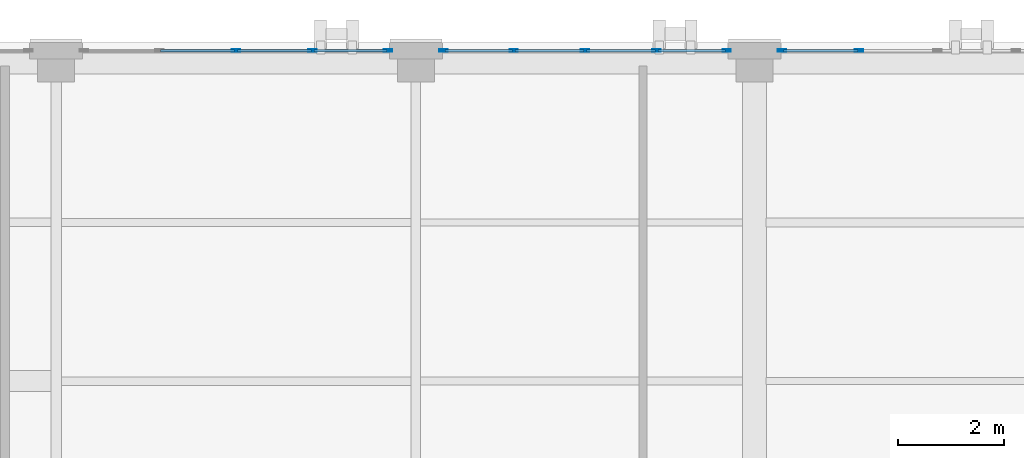
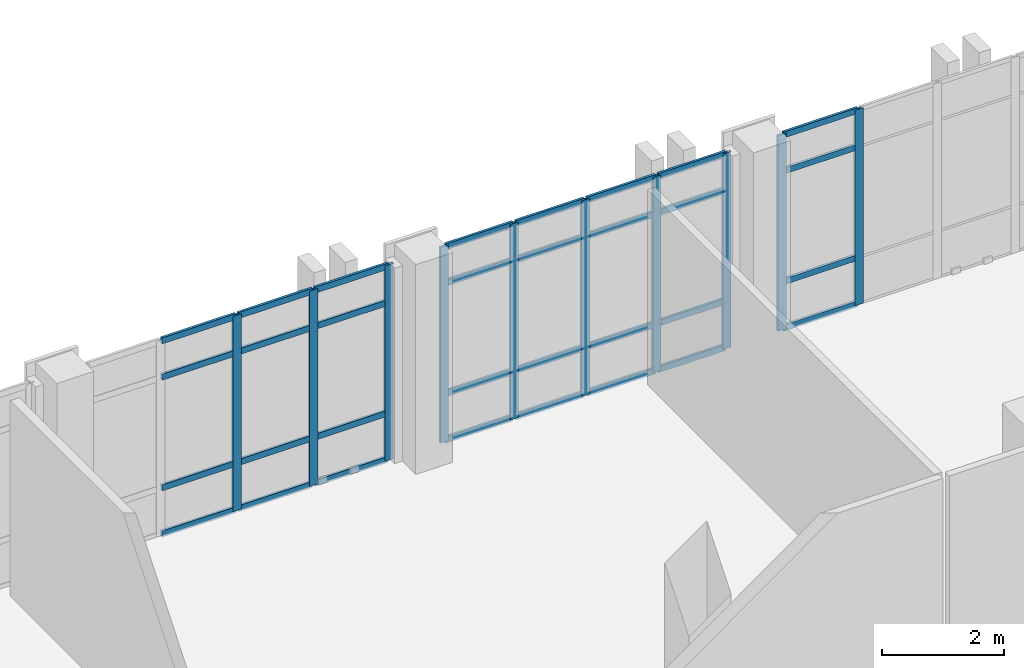
# One storey, part 98 of 193: 42 members, 3 elements without a shape of their own.
"""IFC4 building model written with IfcOpenShell, lengths in metres."""

from ifc_helpers import new_model, si_unit, direction, frame, origin, origin_2d, place, context, subcontext, project, spatial, hollow_rectangle, extrude, material, layer, layer_set, material_profile, profile_set, type_object, element, aggregate, save


model = new_model("IFC4")

# Units and contexts
model_context = context("Model", 3, precision=1e-05, world=origin(), true_north=direction((0.0, 1.0)))
body_context = subcontext(model_context, "Body", "Model", "MODEL_VIEW")
ifc_project = project(units=[si_unit("LENGTHUNIT", "METRE"), si_unit("AREAUNIT", "SQUARE_METRE"), si_unit("VOLUMEUNIT", "CUBIC_METRE"), si_unit("PLANEANGLEUNIT", "RADIAN"), si_unit("MASSUNIT", "GRAM", prefix="KILO")], contexts=[model_context])

# Site, building, storey
site_placement = place(None, origin())
site = spatial("IfcSite", under=ifc_project, at=site_placement, CompositionType="ELEMENT")
building_placement = place(site_placement, origin())
building = spatial("IfcBuilding", under=site, at=building_placement, Name="Qalavern Law Courts", CompositionType="ELEMENT")
storey_placement = place(building_placement, frame((0.0, 0.0, 10.199951171875)))
storey = spatial("IfcBuildingStorey", under=building, at=storey_placement, Name="L02", CompositionType="ELEMENT", Elevation=10.199951171875)

# Curtain wall, members
ifc_material_1 = material(Name="Anodised aluminium and insulated glazing", Category="aluminium")
ifc_layer = layer(ifc_material_1, 0.166015625)
ifc_layer_set = layer_set([ifc_layer], Name="Anodised aluminium and insulated glazing")
curtain_wall_type = type_object("IfcCurtainWallType", Name="ENV-CW-LIB", PredefinedType="USERDEFINED", material=ifc_layer_set)
curtain_wall_1_placement = place(storey_placement, origin())
curtain_wall_1 = element("IfcCurtainWall", 1, at=curtain_wall_1_placement, inside=storey, type_object=curtain_wall_type, Name="V5 unitised curtain wall L02 north 1", ObjectType="UNITISED CURTAIN WALL", PredefinedType="USERDEFINED")
ifc_material_2 = material(Name="Anodised aluminium", Category="aluminium")
ifc_material_profile_1 = material_profile(ifc_material_2, hollow_rectangle(XDim=0.048095703125, YDim=0.159912109375, WallThickness=0.00390625, at=origin_2d()), Name="ALU MULLION 48x160")
ifc_profile_set_1 = profile_set([ifc_material_profile_1], Name="Anodised aluminium")
member_type_1 = type_object("IfcMemberType", Name="ENV-CWM-48x160", PredefinedType="MULLION", material=ifc_profile_set_1)
member_1_placement = place(storey_placement, frame((59.97998046875, 112.844970703125, 0.0), z_axis=(0.0, 0.0, 1.0), x_axis=(0.0, -1.0, 0.0)))
member_1 = element("IfcMember", 2, at=member_1_placement, type_object=member_type_1, Name="CW-05 mullion 5", PredefinedType="MULLION", context=body_context, shape_type="SweptSolid", body=[
    extrude(hollow_rectangle(XDim=0.048095703125, YDim=0.159912109375, WallThickness=0.00390625, at=origin_2d()), origin(), (0.0, 0.0, 1.0), 3.9150390625),
])
member_2_placement = place(storey_placement, frame((58.52392578125, 112.844970703125, 0.0), z_axis=(0.0, 0.0, 1.0), x_axis=(0.0, -1.0, 0.0)))
member_2 = element("IfcMember", 3, at=member_2_placement, type_object=member_type_1, Name="CW-05 mullion 6", PredefinedType="MULLION", context=body_context, shape_type="SweptSolid", body=[
    extrude(hollow_rectangle(XDim=0.048095703125, YDim=0.159912109375, WallThickness=0.00390625, at=origin_2d()), origin(), (0.0, 0.0, 1.0), 3.9150390625),
])

curtain_wall_2_placement = place(storey_placement, origin())
curtain_wall_2 = element("IfcCurtainWall", 4, at=curtain_wall_2_placement, inside=storey, type_object=curtain_wall_type, Name="V5 unitised curtain wall L02 north 2", ObjectType="UNITISED CURTAIN WALL", PredefinedType="USERDEFINED")
member_3_placement = place(storey_placement, frame((57.47607421875, 112.844970703125, 0.0), z_axis=(0.0, 0.0, 1.0), x_axis=(0.0, -1.0, 0.0)))
member_3 = element("IfcMember", 5, at=member_3_placement, type_object=member_type_1, Name="CW-05 mullion 1", PredefinedType="MULLION", context=body_context, shape_type="SweptSolid", body=[
    extrude(hollow_rectangle(XDim=0.048095703125, YDim=0.159912109375, WallThickness=0.00390625, at=origin_2d()), origin(), (0.0, 0.0, 1.0), 3.9150390625),
])
member_4_placement = place(storey_placement, frame((56.14990234375, 112.844970703125, 0.0), z_axis=(0.0, 0.0, 1.0), x_axis=(0.0, -1.0, 0.0)))
member_4 = element("IfcMember", 6, at=member_4_placement, type_object=member_type_1, Name="CW-05 mullion 2", PredefinedType="MULLION", context=body_context, shape_type="SweptSolid", body=[
    extrude(hollow_rectangle(XDim=0.048095703125, YDim=0.159912109375, WallThickness=0.00390625, at=origin_2d()), origin(), (0.0, 0.0, 1.0), 3.9150390625),
])
member_5_placement = place(storey_placement, frame((54.800048828125, 112.844970703125, 0.0), z_axis=(0.0, 0.0, 1.0), x_axis=(0.0, -1.0, 0.0)))
member_5 = element("IfcMember", 7, at=member_5_placement, type_object=member_type_1, Name="CW-05 mullion 3", PredefinedType="MULLION", context=body_context, shape_type="SweptSolid", body=[
    extrude(hollow_rectangle(XDim=0.048095703125, YDim=0.159912109375, WallThickness=0.00390625, at=origin_2d()), origin(), (0.0, 0.0, 1.0), 3.9150390625),
])
member_6_placement = place(storey_placement, frame((53.449951171875, 112.844970703125, 0.0), z_axis=(0.0, 0.0, 1.0), x_axis=(0.0, -1.0, 0.0)))
member_6 = element("IfcMember", 8, at=member_6_placement, type_object=member_type_1, Name="CW-05 mullion 4", PredefinedType="MULLION", context=body_context, shape_type="SweptSolid", body=[
    extrude(hollow_rectangle(XDim=0.048095703125, YDim=0.159912109375, WallThickness=0.00390625, at=origin_2d()), origin(), (0.0, 0.0, 1.0), 3.9150390625),
])
member_7_placement = place(storey_placement, frame((52.1240234375, 112.844970703125, 0.0), z_axis=(0.0, 0.0, 1.0), x_axis=(0.0, -1.0, 0.0)))
member_7 = element("IfcMember", 9, at=member_7_placement, type_object=member_type_1, Name="CW-05 mullion 5", PredefinedType="MULLION", context=body_context, shape_type="SweptSolid", body=[
    extrude(hollow_rectangle(XDim=0.048095703125, YDim=0.159912109375, WallThickness=0.00390625, at=origin_2d()), origin(), (0.0, 0.0, 1.0), 3.9150390625),
])

curtain_wall_3_placement = place(storey_placement, origin())
curtain_wall_3 = element("IfcCurtainWall", 10, at=curtain_wall_3_placement, inside=storey, type_object=curtain_wall_type, Name="V5 unitised curtain wall L02 north 3", ObjectType="UNITISED CURTAIN WALL", PredefinedType="USERDEFINED")
member_8_placement = place(storey_placement, frame((51.075927734375, 112.844970703125, 0.0), z_axis=(0.0, 0.0, 1.0), x_axis=(0.0, -1.0, 0.0)))
member_8 = element("IfcMember", 11, at=member_8_placement, type_object=member_type_1, Name="CW-05 mullion 1", PredefinedType="MULLION", context=body_context, shape_type="SweptSolid", body=[
    extrude(hollow_rectangle(XDim=0.048095703125, YDim=0.159912109375, WallThickness=0.00390625, at=origin_2d()), origin(), (0.0, 0.0, 1.0), 3.9150390625),
])
member_9_placement = place(storey_placement, frame((49.64990234375, 112.844970703125, 0.0), z_axis=(0.0, 0.0, 1.0), x_axis=(0.0, -1.0, 0.0)))
member_9 = element("IfcMember", 12, at=member_9_placement, type_object=member_type_1, Name="CW-05 mullion 2", PredefinedType="MULLION", context=body_context, shape_type="SweptSolid", body=[
    extrude(hollow_rectangle(XDim=0.048095703125, YDim=0.159912109375, WallThickness=0.00390625, at=origin_2d()), origin(), (0.0, 0.0, 1.0), 3.9150390625),
])
member_10_placement = place(storey_placement, frame((48.199951171875, 112.844970703125, 0.0), z_axis=(0.0, 0.0, 1.0), x_axis=(0.0, -1.0, 0.0)))
member_10 = element("IfcMember", 13, at=member_10_placement, type_object=member_type_1, Name="CW-05 mullion 3", PredefinedType="MULLION", context=body_context, shape_type="SweptSolid", body=[
    extrude(hollow_rectangle(XDim=0.048095703125, YDim=0.159912109375, WallThickness=0.00390625, at=origin_2d()), origin(), (0.0, 0.0, 1.0), 3.9150390625),
])

# Member
ifc_material_profile_2 = material_profile(ifc_material_2, hollow_rectangle(XDim=0.048095703125, YDim=0.1201171875, WallThickness=0.00390625, at=origin_2d()), Name="ALU TRANSOM 48x120")
ifc_profile_set_2 = profile_set([ifc_material_profile_2], Name="Anodised aluminium")
member_type_2 = type_object("IfcMemberType", Name="ENV-CWT-48x120", PredefinedType="USERDEFINED", material=ifc_profile_set_2)
member_11_placement = place(storey_placement, frame((59.9560546875, 112.844970703125, 0.024169921875), z_axis=(-1.0, 0.0, 0.0), x_axis=(0.0, -1.0, 0.0)))
member_11 = element("IfcMember", 14, at=member_11_placement, type_object=member_type_2, Name="CW-05 transom 5.1", ObjectType="TRANSOM", PredefinedType="USERDEFINED", context=body_context, shape_type="SweptSolid", body=[
    extrude(hollow_rectangle(XDim=0.048095703125, YDim=0.1201171875, WallThickness=0.00390625, at=origin_2d()), origin(), (0.0, 0.0, 1.0), 1.407958984375),
])

member_12_placement = place(storey_placement, frame((59.9560546875, 112.844970703125, 0.949951171875), z_axis=(-1.0, 0.0, 0.0), x_axis=(0.0, -1.0, 0.0)))
member_12 = element("IfcMember", 15, at=member_12_placement, type_object=member_type_2, Name="CW-05 transom 5.2", ObjectType="TRANSOM", PredefinedType="USERDEFINED", context=body_context, shape_type="SweptSolid", body=[
    extrude(hollow_rectangle(XDim=0.048095703125, YDim=0.1201171875, WallThickness=0.00390625, at=origin_2d()), origin(), (0.0, 0.0, 1.0), 1.407958984375),
])

member_13_placement = place(storey_placement, frame((59.9560546875, 112.844970703125, 3.1650390625), z_axis=(-1.0, 0.0, 0.0), x_axis=(0.0, -1.0, 0.0)))
member_13 = element("IfcMember", 16, at=member_13_placement, type_object=member_type_2, Name="CW-05 transom 5.3", ObjectType="TRANSOM", PredefinedType="USERDEFINED", context=body_context, shape_type="SweptSolid", body=[
    extrude(hollow_rectangle(XDim=0.048095703125, YDim=0.1201171875, WallThickness=0.00390625, at=origin_2d()), origin(), (0.0, 0.0, 1.0), 1.407958984375),
])

member_14_placement = place(storey_placement, frame((59.9560546875, 112.844970703125, 3.89111328125), z_axis=(-1.0, 0.0, 0.0), x_axis=(0.0, -1.0, 0.0)))
member_14 = element("IfcMember", 17, at=member_14_placement, type_object=member_type_2, Name="CW-05 transom 5.4", ObjectType="TRANSOM", PredefinedType="USERDEFINED", context=body_context, shape_type="SweptSolid", body=[
    extrude(hollow_rectangle(XDim=0.048095703125, YDim=0.1201171875, WallThickness=0.00390625, at=origin_2d()), origin(), (0.0, 0.0, 1.0), 1.407958984375),
])

aggregate(curtain_wall_1, [member_1, member_2, member_11, member_12, member_13, member_14])

member_15_placement = place(storey_placement, frame((57.451904296875, 112.844970703125, 0.024169921875), z_axis=(-1.0, 0.0, 0.0), x_axis=(0.0, -1.0, 0.0)))
member_15 = element("IfcMember", 18, at=member_15_placement, type_object=member_type_2, Name="CW-05 transom 1.1", ObjectType="TRANSOM", PredefinedType="USERDEFINED", context=body_context, shape_type="SweptSolid", body=[
    extrude(hollow_rectangle(XDim=0.048095703125, YDim=0.1201171875, WallThickness=0.00390625, at=origin_2d()), origin(), (0.0, 0.0, 1.0), 1.27783203125),
])

member_16_placement = place(storey_placement, frame((57.451904296875, 112.844970703125, 0.949951171875), z_axis=(-1.0, 0.0, 0.0), x_axis=(0.0, -1.0, 0.0)))
member_16 = element("IfcMember", 19, at=member_16_placement, type_object=member_type_2, Name="CW-05 transom 1.2", ObjectType="TRANSOM", PredefinedType="USERDEFINED", context=body_context, shape_type="SweptSolid", body=[
    extrude(hollow_rectangle(XDim=0.048095703125, YDim=0.1201171875, WallThickness=0.00390625, at=origin_2d()), origin(), (0.0, 0.0, 1.0), 1.27783203125),
])

member_17_placement = place(storey_placement, frame((57.451904296875, 112.844970703125, 3.1650390625), z_axis=(-1.0, 0.0, 0.0), x_axis=(0.0, -1.0, 0.0)))
member_17 = element("IfcMember", 20, at=member_17_placement, type_object=member_type_2, Name="CW-05 transom 1.3", ObjectType="TRANSOM", PredefinedType="USERDEFINED", context=body_context, shape_type="SweptSolid", body=[
    extrude(hollow_rectangle(XDim=0.048095703125, YDim=0.1201171875, WallThickness=0.00390625, at=origin_2d()), origin(), (0.0, 0.0, 1.0), 1.27783203125),
])

member_18_placement = place(storey_placement, frame((57.451904296875, 112.844970703125, 3.89111328125), z_axis=(-1.0, 0.0, 0.0), x_axis=(0.0, -1.0, 0.0)))
member_18 = element("IfcMember", 21, at=member_18_placement, type_object=member_type_2, Name="CW-05 transom 1.4", ObjectType="TRANSOM", PredefinedType="USERDEFINED", context=body_context, shape_type="SweptSolid", body=[
    extrude(hollow_rectangle(XDim=0.048095703125, YDim=0.1201171875, WallThickness=0.00390625, at=origin_2d()), origin(), (0.0, 0.0, 1.0), 1.27783203125),
])

member_19_placement = place(storey_placement, frame((56.1259765625, 112.844970703125, 0.024169921875), z_axis=(-1.0, 0.0, 0.0), x_axis=(0.0, -1.0, 0.0)))
member_19 = element("IfcMember", 22, at=member_19_placement, type_object=member_type_2, Name="CW-05 transom 2.1", ObjectType="TRANSOM", PredefinedType="USERDEFINED", context=body_context, shape_type="SweptSolid", body=[
    extrude(hollow_rectangle(XDim=0.048095703125, YDim=0.1201171875, WallThickness=0.00390625, at=origin_2d()), origin(), (0.0, 0.0, 1.0), 1.302001953125),
])

member_20_placement = place(storey_placement, frame((56.1259765625, 112.844970703125, 0.949951171875), z_axis=(-1.0, 0.0, 0.0), x_axis=(0.0, -1.0, 0.0)))
member_20 = element("IfcMember", 23, at=member_20_placement, type_object=member_type_2, Name="CW-05 transom 2.2", ObjectType="TRANSOM", PredefinedType="USERDEFINED", context=body_context, shape_type="SweptSolid", body=[
    extrude(hollow_rectangle(XDim=0.048095703125, YDim=0.1201171875, WallThickness=0.00390625, at=origin_2d()), origin(), (0.0, 0.0, 1.0), 1.302001953125),
])

member_21_placement = place(storey_placement, frame((56.1259765625, 112.844970703125, 3.1650390625), z_axis=(-1.0, 0.0, 0.0), x_axis=(0.0, -1.0, 0.0)))
member_21 = element("IfcMember", 24, at=member_21_placement, type_object=member_type_2, Name="CW-05 transom 2.3", ObjectType="TRANSOM", PredefinedType="USERDEFINED", context=body_context, shape_type="SweptSolid", body=[
    extrude(hollow_rectangle(XDim=0.048095703125, YDim=0.1201171875, WallThickness=0.00390625, at=origin_2d()), origin(), (0.0, 0.0, 1.0), 1.302001953125),
])

member_22_placement = place(storey_placement, frame((56.1259765625, 112.844970703125, 3.89111328125), z_axis=(-1.0, 0.0, 0.0), x_axis=(0.0, -1.0, 0.0)))
member_22 = element("IfcMember", 25, at=member_22_placement, type_object=member_type_2, Name="CW-05 transom 2.4", ObjectType="TRANSOM", PredefinedType="USERDEFINED", context=body_context, shape_type="SweptSolid", body=[
    extrude(hollow_rectangle(XDim=0.048095703125, YDim=0.1201171875, WallThickness=0.00390625, at=origin_2d()), origin(), (0.0, 0.0, 1.0), 1.302001953125),
])

member_23_placement = place(storey_placement, frame((54.77587890625, 112.844970703125, 0.024169921875), z_axis=(-1.0, 0.0, 0.0), x_axis=(0.0, -1.0, 0.0)))
member_23 = element("IfcMember", 26, at=member_23_placement, type_object=member_type_2, Name="CW-05 transom 3.1", ObjectType="TRANSOM", PredefinedType="USERDEFINED", context=body_context, shape_type="SweptSolid", body=[
    extrude(hollow_rectangle(XDim=0.048095703125, YDim=0.1201171875, WallThickness=0.00390625, at=origin_2d()), origin(), (0.0, 0.0, 1.0), 1.3017578125),
])

member_24_placement = place(storey_placement, frame((54.77587890625, 112.844970703125, 0.949951171875), z_axis=(-1.0, 0.0, 0.0), x_axis=(0.0, -1.0, 0.0)))
member_24 = element("IfcMember", 27, at=member_24_placement, type_object=member_type_2, Name="CW-05 transom 3.2", ObjectType="TRANSOM", PredefinedType="USERDEFINED", context=body_context, shape_type="SweptSolid", body=[
    extrude(hollow_rectangle(XDim=0.048095703125, YDim=0.1201171875, WallThickness=0.00390625, at=origin_2d()), origin(), (0.0, 0.0, 1.0), 1.3017578125),
])

member_25_placement = place(storey_placement, frame((54.77587890625, 112.844970703125, 3.1650390625), z_axis=(-1.0, 0.0, 0.0), x_axis=(0.0, -1.0, 0.0)))
member_25 = element("IfcMember", 28, at=member_25_placement, type_object=member_type_2, Name="CW-05 transom 3.3", ObjectType="TRANSOM", PredefinedType="USERDEFINED", context=body_context, shape_type="SweptSolid", body=[
    extrude(hollow_rectangle(XDim=0.048095703125, YDim=0.1201171875, WallThickness=0.00390625, at=origin_2d()), origin(), (0.0, 0.0, 1.0), 1.3017578125),
])

member_26_placement = place(storey_placement, frame((54.77587890625, 112.844970703125, 3.89111328125), z_axis=(-1.0, 0.0, 0.0), x_axis=(0.0, -1.0, 0.0)))
member_26 = element("IfcMember", 29, at=member_26_placement, type_object=member_type_2, Name="CW-05 transom 3.4", ObjectType="TRANSOM", PredefinedType="USERDEFINED", context=body_context, shape_type="SweptSolid", body=[
    extrude(hollow_rectangle(XDim=0.048095703125, YDim=0.1201171875, WallThickness=0.00390625, at=origin_2d()), origin(), (0.0, 0.0, 1.0), 1.3017578125),
])

member_27_placement = place(storey_placement, frame((53.426025390625, 112.844970703125, 0.024169921875), z_axis=(-1.0, 0.0, 0.0), x_axis=(0.0, -1.0, 0.0)))
member_27 = element("IfcMember", 30, at=member_27_placement, type_object=member_type_2, Name="CW-05 transom 4.1", ObjectType="TRANSOM", PredefinedType="USERDEFINED", context=body_context, shape_type="SweptSolid", body=[
    extrude(hollow_rectangle(XDim=0.048095703125, YDim=0.1201171875, WallThickness=0.00390625, at=origin_2d()), origin(), (0.0, 0.0, 1.0), 1.278076171875),
])

member_28_placement = place(storey_placement, frame((53.426025390625, 112.844970703125, 0.949951171875), z_axis=(-1.0, 0.0, 0.0), x_axis=(0.0, -1.0, 0.0)))
member_28 = element("IfcMember", 31, at=member_28_placement, type_object=member_type_2, Name="CW-05 transom 4.2", ObjectType="TRANSOM", PredefinedType="USERDEFINED", context=body_context, shape_type="SweptSolid", body=[
    extrude(hollow_rectangle(XDim=0.048095703125, YDim=0.1201171875, WallThickness=0.00390625, at=origin_2d()), origin(), (0.0, 0.0, 1.0), 1.278076171875),
])

member_29_placement = place(storey_placement, frame((53.426025390625, 112.844970703125, 3.1650390625), z_axis=(-1.0, 0.0, 0.0), x_axis=(0.0, -1.0, 0.0)))
member_29 = element("IfcMember", 32, at=member_29_placement, type_object=member_type_2, Name="CW-05 transom 4.3", ObjectType="TRANSOM", PredefinedType="USERDEFINED", context=body_context, shape_type="SweptSolid", body=[
    extrude(hollow_rectangle(XDim=0.048095703125, YDim=0.1201171875, WallThickness=0.00390625, at=origin_2d()), origin(), (0.0, 0.0, 1.0), 1.278076171875),
])

member_30_placement = place(storey_placement, frame((53.426025390625, 112.844970703125, 3.89111328125), z_axis=(-1.0, 0.0, 0.0), x_axis=(0.0, -1.0, 0.0)))
member_30 = element("IfcMember", 33, at=member_30_placement, type_object=member_type_2, Name="CW-05 transom 4.4", ObjectType="TRANSOM", PredefinedType="USERDEFINED", context=body_context, shape_type="SweptSolid", body=[
    extrude(hollow_rectangle(XDim=0.048095703125, YDim=0.1201171875, WallThickness=0.00390625, at=origin_2d()), origin(), (0.0, 0.0, 1.0), 1.278076171875),
])

aggregate(curtain_wall_2, [member_3, member_4, member_5, member_6, member_7, member_15, member_16, member_17, member_18, member_19, member_20, member_21, member_22, member_23, member_24, member_25, member_26, member_27, member_28, member_29, member_30])

member_31_placement = place(storey_placement, frame((51.052001953125, 112.844970703125, 0.024169921875), z_axis=(-1.0, 0.0, 0.0), x_axis=(0.0, -1.0, 0.0)))
member_31 = element("IfcMember", 34, at=member_31_placement, type_object=member_type_2, Name="CW-05 transom 1.1", ObjectType="TRANSOM", PredefinedType="USERDEFINED", context=body_context, shape_type="SweptSolid", body=[
    extrude(hollow_rectangle(XDim=0.048095703125, YDim=0.1201171875, WallThickness=0.00390625, at=origin_2d()), origin(), (0.0, 0.0, 1.0), 1.3779296875),
])

member_32_placement = place(storey_placement, frame((51.052001953125, 112.844970703125, 0.949951171875), z_axis=(-1.0, 0.0, 0.0), x_axis=(0.0, -1.0, 0.0)))
member_32 = element("IfcMember", 35, at=member_32_placement, type_object=member_type_2, Name="CW-05 transom 1.2", ObjectType="TRANSOM", PredefinedType="USERDEFINED", context=body_context, shape_type="SweptSolid", body=[
    extrude(hollow_rectangle(XDim=0.048095703125, YDim=0.1201171875, WallThickness=0.00390625, at=origin_2d()), origin(), (0.0, 0.0, 1.0), 1.3779296875),
])

member_33_placement = place(storey_placement, frame((51.052001953125, 112.844970703125, 3.1650390625), z_axis=(-1.0, 0.0, 0.0), x_axis=(0.0, -1.0, 0.0)))
member_33 = element("IfcMember", 36, at=member_33_placement, type_object=member_type_2, Name="CW-05 transom 1.3", ObjectType="TRANSOM", PredefinedType="USERDEFINED", context=body_context, shape_type="SweptSolid", body=[
    extrude(hollow_rectangle(XDim=0.048095703125, YDim=0.1201171875, WallThickness=0.00390625, at=origin_2d()), origin(), (0.0, 0.0, 1.0), 1.3779296875),
])

member_34_placement = place(storey_placement, frame((51.052001953125, 112.844970703125, 3.89111328125), z_axis=(-1.0, 0.0, 0.0), x_axis=(0.0, -1.0, 0.0)))
member_34 = element("IfcMember", 37, at=member_34_placement, type_object=member_type_2, Name="CW-05 transom 1.4", ObjectType="TRANSOM", PredefinedType="USERDEFINED", context=body_context, shape_type="SweptSolid", body=[
    extrude(hollow_rectangle(XDim=0.048095703125, YDim=0.1201171875, WallThickness=0.00390625, at=origin_2d()), origin(), (0.0, 0.0, 1.0), 1.3779296875),
])

member_35_placement = place(storey_placement, frame((49.6259765625, 112.844970703125, 0.024169921875), z_axis=(-1.0, 0.0, 0.0), x_axis=(0.0, -1.0, 0.0)))
member_35 = element("IfcMember", 38, at=member_35_placement, type_object=member_type_2, Name="CW-05 transom 2.1", ObjectType="TRANSOM", PredefinedType="USERDEFINED", context=body_context, shape_type="SweptSolid", body=[
    extrude(hollow_rectangle(XDim=0.048095703125, YDim=0.1201171875, WallThickness=0.00390625, at=origin_2d()), origin(), (0.0, 0.0, 1.0), 1.40185546875),
])

member_36_placement = place(storey_placement, frame((49.6259765625, 112.844970703125, 0.949951171875), z_axis=(-1.0, 0.0, 0.0), x_axis=(0.0, -1.0, 0.0)))
member_36 = element("IfcMember", 39, at=member_36_placement, type_object=member_type_2, Name="CW-05 transom 2.2", ObjectType="TRANSOM", PredefinedType="USERDEFINED", context=body_context, shape_type="SweptSolid", body=[
    extrude(hollow_rectangle(XDim=0.048095703125, YDim=0.1201171875, WallThickness=0.00390625, at=origin_2d()), origin(), (0.0, 0.0, 1.0), 1.40185546875),
])

member_37_placement = place(storey_placement, frame((49.6259765625, 112.844970703125, 3.1650390625), z_axis=(-1.0, 0.0, 0.0), x_axis=(0.0, -1.0, 0.0)))
member_37 = element("IfcMember", 40, at=member_37_placement, type_object=member_type_2, Name="CW-05 transom 2.3", ObjectType="TRANSOM", PredefinedType="USERDEFINED", context=body_context, shape_type="SweptSolid", body=[
    extrude(hollow_rectangle(XDim=0.048095703125, YDim=0.1201171875, WallThickness=0.00390625, at=origin_2d()), origin(), (0.0, 0.0, 1.0), 1.40185546875),
])

member_38_placement = place(storey_placement, frame((49.6259765625, 112.844970703125, 3.89111328125), z_axis=(-1.0, 0.0, 0.0), x_axis=(0.0, -1.0, 0.0)))
member_38 = element("IfcMember", 41, at=member_38_placement, type_object=member_type_2, Name="CW-05 transom 2.4", ObjectType="TRANSOM", PredefinedType="USERDEFINED", context=body_context, shape_type="SweptSolid", body=[
    extrude(hollow_rectangle(XDim=0.048095703125, YDim=0.1201171875, WallThickness=0.00390625, at=origin_2d()), origin(), (0.0, 0.0, 1.0), 1.40185546875),
])

member_39_placement = place(storey_placement, frame((48.176025390625, 112.844970703125, 0.024169921875), z_axis=(-1.0, 0.0, 0.0), x_axis=(0.0, -1.0, 0.0)))
member_39 = element("IfcMember", 42, at=member_39_placement, type_object=member_type_2, Name="CW-05 transom 3.1", ObjectType="TRANSOM", PredefinedType="USERDEFINED", context=body_context, shape_type="SweptSolid", body=[
    extrude(hollow_rectangle(XDim=0.048095703125, YDim=0.1201171875, WallThickness=0.00390625, at=origin_2d()), origin(), (0.0, 0.0, 1.0), 1.402099609375),
])

member_40_placement = place(storey_placement, frame((48.176025390625, 112.844970703125, 0.949951171875), z_axis=(-1.0, 0.0, 0.0), x_axis=(0.0, -1.0, 0.0)))
member_40 = element("IfcMember", 43, at=member_40_placement, type_object=member_type_2, Name="CW-05 transom 3.2", ObjectType="TRANSOM", PredefinedType="USERDEFINED", context=body_context, shape_type="SweptSolid", body=[
    extrude(hollow_rectangle(XDim=0.048095703125, YDim=0.1201171875, WallThickness=0.00390625, at=origin_2d()), origin(), (0.0, 0.0, 1.0), 1.402099609375),
])

member_41_placement = place(storey_placement, frame((48.176025390625, 112.844970703125, 3.1650390625), z_axis=(-1.0, 0.0, 0.0), x_axis=(0.0, -1.0, 0.0)))
member_41 = element("IfcMember", 44, at=member_41_placement, type_object=member_type_2, Name="CW-05 transom 3.3", ObjectType="TRANSOM", PredefinedType="USERDEFINED", context=body_context, shape_type="SweptSolid", body=[
    extrude(hollow_rectangle(XDim=0.048095703125, YDim=0.1201171875, WallThickness=0.00390625, at=origin_2d()), origin(), (0.0, 0.0, 1.0), 1.402099609375),
])

member_42_placement = place(storey_placement, frame((48.176025390625, 112.844970703125, 3.89111328125), z_axis=(-1.0, 0.0, 0.0), x_axis=(0.0, -1.0, 0.0)))
member_42 = element("IfcMember", 45, at=member_42_placement, type_object=member_type_2, Name="CW-05 transom 3.4", ObjectType="TRANSOM", PredefinedType="USERDEFINED", context=body_context, shape_type="SweptSolid", body=[
    extrude(hollow_rectangle(XDim=0.048095703125, YDim=0.1201171875, WallThickness=0.00390625, at=origin_2d()), origin(), (0.0, 0.0, 1.0), 1.402099609375),
])

aggregate(curtain_wall_3, [member_8, member_9, member_10, member_31, member_32, member_33, member_34, member_35, member_36, member_37, member_38, member_39, member_40, member_41, member_42])

save(model, "model.ifc")
